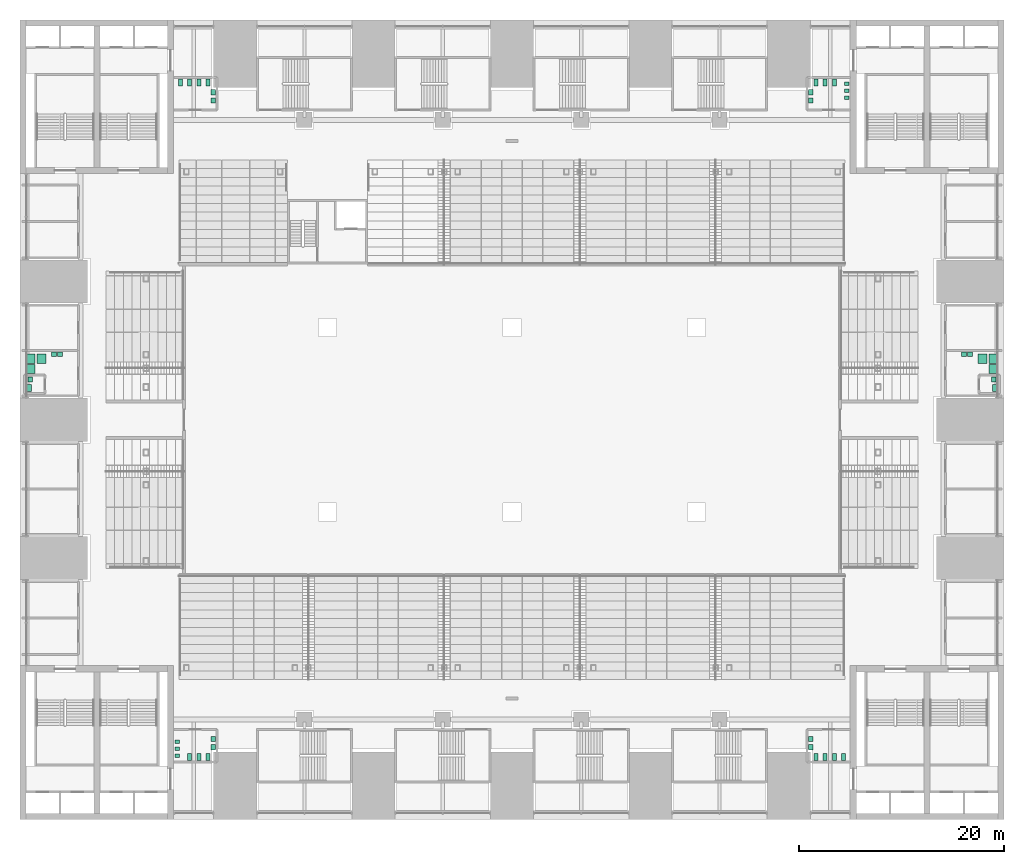
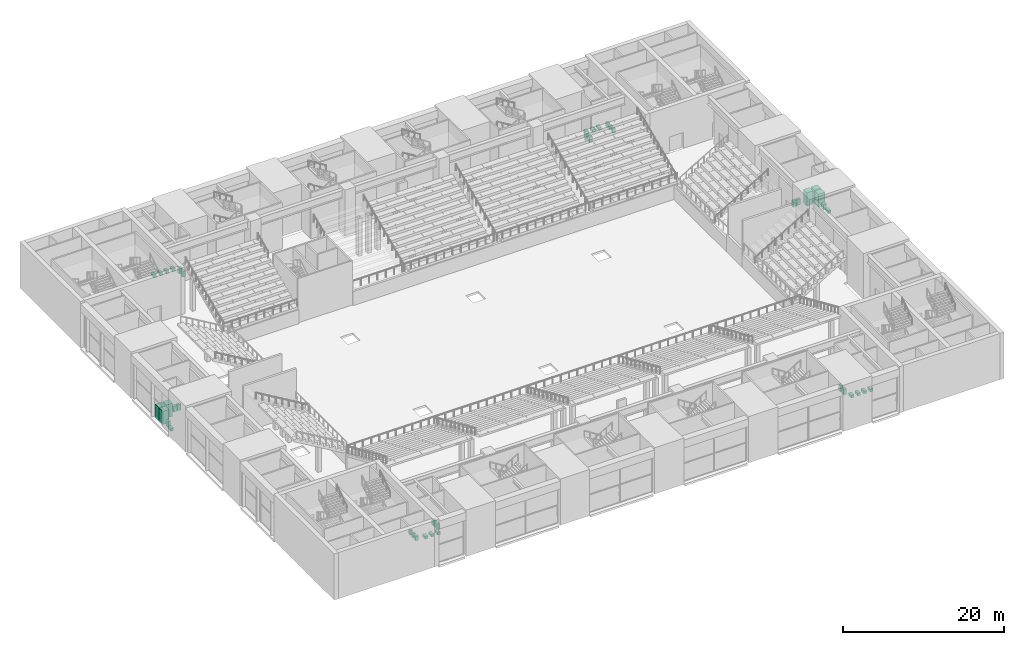
# One storey, part 62 of 62: 42 sanitary terminals.
"""IFC4 building model written with IfcOpenShell, lengths in metres."""

from ifc_helpers import new_model, si_unit, direction, frame, origin, origin_2d, place, context, subcontext, project, spatial, rectangle, extrude, material, type_object, element, save


model = new_model("IFC4")

# Units and contexts
model_context = context("Model", 3, precision=1e-05, world=origin(), true_north=direction((0.0, 1.0)))
body_context = subcontext(model_context, "Body", "Model", "MODEL_VIEW")
ifc_project = project(units=[si_unit("LENGTHUNIT", "METRE"), si_unit("AREAUNIT", "SQUARE_METRE"), si_unit("VOLUMEUNIT", "CUBIC_METRE"), si_unit("PLANEANGLEUNIT", "RADIAN"), si_unit("MASSUNIT", "GRAM", prefix="KILO")], contexts=[model_context])

# Site, building, storey
site_placement = place(None, origin())
site = spatial("IfcSite", under=ifc_project, at=site_placement, CompositionType="ELEMENT")
building_placement = place(site_placement, origin())
building = spatial("IfcBuilding", under=site, at=building_placement, Name="Corbelhall Arena Tower", CompositionType="ELEMENT")
storey_placement = place(building_placement, frame((0.0, 0.0, 12.0)))
storey = spatial("IfcBuildingStorey", under=building, at=storey_placement, Name="L01", CompositionType="ELEMENT", Elevation=12.0)

# Sanitary terminals
ifc_material_1 = material(Name="Vitreous china")
sanitary_terminal_type_1 = type_object("IfcSanitaryTerminalType", Name="AR-BASIN", PredefinedType="WASHHANDBASIN", material=ifc_material_1)
for number, where, z_axis, x_axis, name in (
    (1, (44.699951171875, 6.389892578125, 0.0), (0.0, 0.0, 1.0), (1.0, 0.0, 0.0), "Basin"),
    (2, (44.10009765625, 6.389892578125, 0.0), (0.0, 0.0, 1.0), (1.0, 0.0, 0.0), "Basin"),
):
    element("IfcSanitaryTerminal", number, at=place(storey_placement, frame(where, z_axis=z_axis, x_axis=x_axis)), inside=storey, type_object=sanitary_terminal_type_1, Name=name, PredefinedType="WASHHANDBASIN", context=body_context, shape_type="SweptSolid", body=[
        extrude(rectangle(XDim=0.5, YDim=0.39990234375, at=origin_2d()), origin(), (0.0, 0.0, 1.0), 0.85009765625),
    ])
sanitary_terminal_placement = place(storey_placement, frame((47.0, 3.929931640625, 0.0), z_axis=(0.0, 0.0, 1.0), x_axis=(1.0, 0.0, 0.0)))
element("IfcSanitaryTerminal", 3, at=sanitary_terminal_placement, inside=storey, type_object=sanitary_terminal_type_1, Name="Basin", PredefinedType="WASHHANDBASIN", context=body_context, shape_type="SweptSolid", body=[
    extrude(rectangle(XDim=0.39990234375, YDim=0.5, at=origin_2d()), origin(), (0.0, 0.0, 1.0), 0.85009765625),
])
for number, where, z_axis, x_axis, name in (
    (4, (-44.699951171875, 6.389892578125, 0.0), (0.0, 0.0, 1.0), (1.0, 0.0, 0.0), "Basin"),
    (5, (-44.10009765625, 6.389892578125, 0.0), (0.0, 0.0, 1.0), (1.0, 0.0, 0.0), "Basin"),
):
    element("IfcSanitaryTerminal", number, at=place(storey_placement, frame(where, z_axis=z_axis, x_axis=x_axis)), inside=storey, type_object=sanitary_terminal_type_1, Name=name, PredefinedType="WASHHANDBASIN", context=body_context, shape_type="SweptSolid", body=[
        extrude(rectangle(XDim=0.5, YDim=0.39990234375, at=origin_2d()), origin(), (0.0, 0.0, 1.0), 0.85009765625),
    ])
for number, where, z_axis, x_axis, name in (
    (6, (-47.0, 3.929931640625, 0.0), (0.0, 0.0, 1.0), (1.0, 0.0, 0.0), "Basin"),
    (7, (29.14501953125, 31.14990234375, 0.0), (0.0, 0.0, 1.0), (1.0, 0.0, 0.0), "Basin"),
    (8, (29.14501953125, 31.949951171875, 0.0), (0.0, 0.0, 1.0), (1.0, 0.0, 0.0), "Basin"),
    (9, (-29.14501953125, 31.14990234375, 0.0), (0.0, 0.0, 1.0), (1.0, 0.0, 0.0), "Basin"),
    (10, (-29.14501953125, 31.949951171875, 0.0), (0.0, 0.0, 1.0), (1.0, 0.0, 0.0), "Basin"),
    (11, (29.14501953125, -31.14990234375, 0.0), (0.0, 0.0, 1.0), (1.0, 0.0, 0.0), "Basin"),
    (12, (29.14501953125, -31.949951171875, 0.0), (0.0, 0.0, 1.0), (1.0, 0.0, 0.0), "Basin"),
    (13, (-29.14501953125, -31.14990234375, 0.0), (0.0, 0.0, 1.0), (1.0, 0.0, 0.0), "Basin"),
    (14, (-29.14501953125, -31.949951171875, 0.0), (0.0, 0.0, 1.0), (1.0, 0.0, 0.0), "Basin"),
):
    element("IfcSanitaryTerminal", number, at=place(storey_placement, frame(where, z_axis=z_axis, x_axis=x_axis)), inside=storey, type_object=sanitary_terminal_type_1, Name=name, PredefinedType="WASHHANDBASIN", context=body_context, shape_type="SweptSolid", body=[
        extrude(rectangle(XDim=0.39990234375, YDim=0.5, at=origin_2d()), origin(), (0.0, 0.0, 1.0), 0.85009765625),
    ])
ifc_material_2 = material(Name="Stainless steel A4 and tempered glass", Category="steel")
sanitary_terminal_type_2 = type_object("IfcSanitaryTerminalType", Name="AR-SHOWER", PredefinedType="SHOWER", material=ifc_material_2)
for number, where, z_axis, x_axis, name in (
    (15, (47.0, 5.949951171875, 0.0), (0.0, 0.0, 1.0), (1.0, 0.0, 0.0), "Shower"),
    (16, (47.0, 4.949951171875, 0.0), (0.0, 0.0, 1.0), (1.0, 0.0, 0.0), "Shower"),
    (17, (45.89990234375, 5.949951171875, 0.0), (0.0, 0.0, 1.0), (1.0, 0.0, 0.0), "Shower"),
    (18, (-47.0, 5.949951171875, 0.0), (0.0, 0.0, 1.0), (1.0, 0.0, 0.0), "Shower"),
    (19, (-47.0, 4.949951171875, 0.0), (0.0, 0.0, 1.0), (1.0, 0.0, 0.0), "Shower"),
    (20, (-45.89990234375, 5.949951171875, 0.0), (0.0, 0.0, 1.0), (1.0, 0.0, 0.0), "Shower"),
):
    element("IfcSanitaryTerminal", number, at=place(storey_placement, frame(where, z_axis=z_axis, x_axis=x_axis)), inside=storey, type_object=sanitary_terminal_type_2, Name=name, PredefinedType="SHOWER", context=body_context, shape_type="SweptSolid", body=[
        extrude(rectangle(XDim=0.89990234375, YDim=0.89990234375, at=origin_2d()), origin(), (0.0, 0.0, 1.0), 2.0),
    ])
sanitary_terminal_type_3 = type_object("IfcSanitaryTerminalType", Name="AR-URINAL", PredefinedType="URINAL", material=ifc_material_1)
for number, where, z_axis, x_axis, name in (
    (21, (32.655029296875, 31.39990234375, 0.0), (0.0, 0.0, 1.0), (1.0, 0.0, 0.0), "Urinal"),
    (22, (32.655029296875, 32.10009765625, 0.0), (0.0, 0.0, 1.0), (1.0, 0.0, 0.0), "Urinal"),
    (23, (32.655029296875, 32.800048828125, 0.0), (0.0, 0.0, 1.0), (1.0, 0.0, 0.0), "Urinal"),
    (24, (-32.655029296875, -31.39990234375, 0.0), (0.0, 0.0, 1.0), (1.0, 0.0, 0.0), "Urinal"),
    (25, (-32.655029296875, -32.10009765625, 0.0), (0.0, 0.0, 1.0), (1.0, 0.0, 0.0), "Urinal"),
    (26, (-32.655029296875, -32.800048828125, 0.0), (0.0, 0.0, 1.0), (1.0, 0.0, 0.0), "Urinal"),
):
    element("IfcSanitaryTerminal", number, at=place(storey_placement, frame(where, z_axis=z_axis, x_axis=x_axis)), inside=storey, type_object=sanitary_terminal_type_3, Name=name, PredefinedType="URINAL", context=body_context, shape_type="SweptSolid", body=[
        extrude(rectangle(XDim=0.39990234375, YDim=0.35009765625, at=origin_2d()), origin(), (0.0, 0.0, 1.0), 0.64990234375),
    ])
sanitary_terminal_type_4 = type_object("IfcSanitaryTerminalType", Name="AR-WC-PAN", PredefinedType="TOILETPAN", material=ifc_material_1)
for number, where, z_axis, x_axis, name in (
    (27, (47.10009765625, 3.10009765625, 0.0), (0.0, 0.0, 1.0), (1.0, 0.0, 0.0), "Wc Pan"),
    (28, (-47.10009765625, 3.10009765625, 0.0), (0.0, 0.0, 1.0), (1.0, 0.0, 0.0), "Wc Pan"),
    (29, (29.64990234375, 32.905029296875, 0.0), (0.0, 0.0, 1.0), (1.0, 0.0, 0.0), "Wc Pan"),
    (30, (30.550048828125, 32.905029296875, 0.0), (0.0, 0.0, 1.0), (1.0, 0.0, 0.0), "Wc Pan"),
    (31, (31.449951171875, 32.905029296875, 0.0), (0.0, 0.0, 1.0), (1.0, 0.0, 0.0), "Wc Pan"),
    (32, (-29.64990234375, 32.905029296875, 0.0), (0.0, 0.0, 1.0), (1.0, 0.0, 0.0), "Wc Pan"),
    (33, (-30.550048828125, 32.905029296875, 0.0), (0.0, 0.0, 1.0), (1.0, 0.0, 0.0), "Wc Pan"),
    (34, (-31.449951171875, 32.905029296875, 0.0), (0.0, 0.0, 1.0), (1.0, 0.0, 0.0), "Wc Pan"),
    (35, (-32.35009765625, 32.905029296875, 0.0), (0.0, 0.0, 1.0), (1.0, 0.0, 0.0), "Wc Pan"),
    (36, (29.64990234375, -32.905029296875, 0.0), (0.0, 0.0, 1.0), (1.0, 0.0, 0.0), "Wc Pan"),
    (37, (30.550048828125, -32.905029296875, 0.0), (0.0, 0.0, 1.0), (1.0, 0.0, 0.0), "Wc Pan"),
    (38, (31.449951171875, -32.905029296875, 0.0), (0.0, 0.0, 1.0), (1.0, 0.0, 0.0), "Wc Pan"),
    (39, (32.35009765625, -32.905029296875, 0.0), (0.0, 0.0, 1.0), (1.0, 0.0, 0.0), "Wc Pan"),
    (40, (-29.64990234375, -32.905029296875, 0.0), (0.0, 0.0, 1.0), (1.0, 0.0, 0.0), "Wc Pan"),
    (41, (-30.550048828125, -32.905029296875, 0.0), (0.0, 0.0, 1.0), (1.0, 0.0, 0.0), "Wc Pan"),
    (42, (-31.449951171875, -32.905029296875, 0.0), (0.0, 0.0, 1.0), (1.0, 0.0, 0.0), "Wc Pan"),
):
    element("IfcSanitaryTerminal", number, at=place(storey_placement, frame(where, z_axis=z_axis, x_axis=x_axis)), inside=storey, type_object=sanitary_terminal_type_4, Name=name, PredefinedType="TOILETPAN", context=body_context, shape_type="SweptSolid", body=[
        extrude(rectangle(XDim=0.39990234375, YDim=0.699951171875, at=origin_2d()), origin(), (0.0, 0.0, 1.0), 0.39990234375),
    ])

save(model, "model.ifc")
